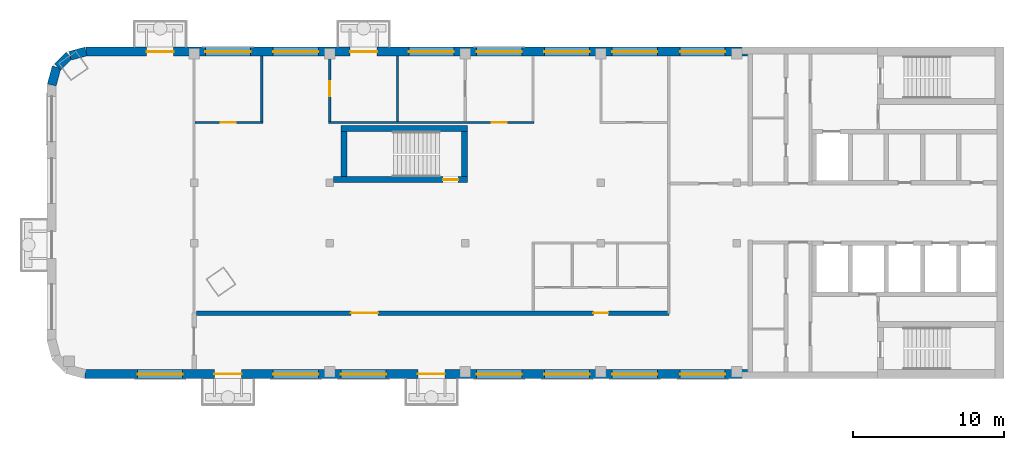
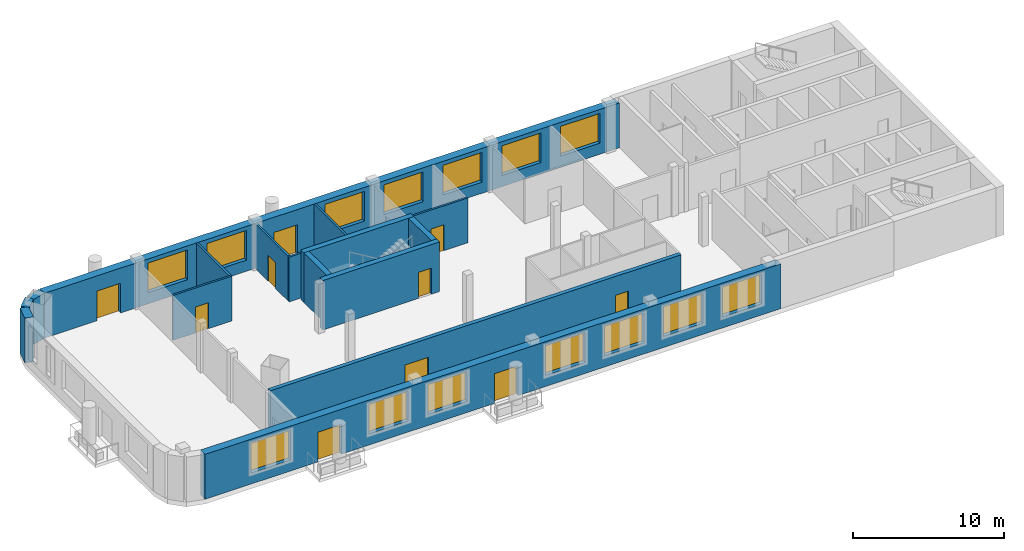
# One storey, part 2 of 7: 15 walls, 14 windows, 10 doors, 24 openings.
"""IFC4 building model written with IfcOpenShell, lengths in metres."""

from ifc_helpers import new_model, si_unit, direction, frame, frame_2d, origin, place, context, subcontext, project, spatial, rectangle, extrude, material, layer, layer_set, type_object, element, fill, save


model = new_model("IFC4")

# Units and contexts
model_context = context("Model", 3, precision=1e-05, world=origin(), true_north=direction((0.0, 1.0)))
body_context = subcontext(model_context, "Body", "Model", "MODEL_VIEW")
ifc_project = project(units=[si_unit("LENGTHUNIT", "METRE"), si_unit("AREAUNIT", "SQUARE_METRE"), si_unit("VOLUMEUNIT", "CUBIC_METRE"), si_unit("PLANEANGLEUNIT", "RADIAN"), si_unit("MASSUNIT", "GRAM", prefix="KILO")], contexts=[model_context])

# Site, building, storey
site_placement = place(None, origin())
site = spatial("IfcSite", under=ifc_project, at=site_placement, CompositionType="ELEMENT")
building_placement = place(site_placement, origin())
building = spatial("IfcBuilding", under=site, at=building_placement, Name="Skarvind Civic Tower", CompositionType="ELEMENT")
storey_placement = place(building_placement, frame((0.0, 0.0, 265.5)))
storey = spatial("IfcBuildingStorey", under=building, at=storey_placement, Name="L63", CompositionType="ELEMENT", Elevation=265.5)

# Wall, openings, doors
ifc_material_1 = material(Name="Fire-rated gypsum board on steel studs", Category="steel")
ifc_layer_1 = layer(ifc_material_1, 0.300048828125)
ifc_layer_set_1 = layer_set([ifc_layer_1], Name="CORRIDOR WALL 300")
wall_type_1 = type_object("IfcWallType", Name="CORRIDOR WALL 300", PredefinedType="PARTITIONING", material=ifc_layer_set_1)
wall_1_placement = place(storey_placement, frame((54.39990234375, 121.35009765625, 0.0), z_axis=(0.0, 0.0, 1.0), x_axis=(1.0, 0.0, 0.0)))
wall_1 = element("IfcWall", 1, at=wall_1_placement, inside=storey, type_object=wall_type_1, Name="Partition 63.003", PredefinedType="PARTITIONING", context=body_context, shape_type="SweptSolid", body=[
    extrude(rectangle(XDim=31.35302734375, YDim=0.300048828125, at=frame_2d((15.676513671875, 0.0))), origin(), (0.0, 0.0, 1.0), 3.625),
])
opening_1_placement = place(wall_1_placement, frame((26.35009765625, 0.0, 0.0)))
opening_1 = element("IfcOpeningElement", 2, at=opening_1_placement, cuts=wall_1, Name="Opening L63-D002", PredefinedType="OPENING", context=body_context, shape_type="SweptSolid", body=[
    extrude(rectangle(XDim=1.0, YDim=2.10009765625, at=frame_2d((0.5, 1.050048828125))), frame((0.0, 0.159912109375, 0.0), z_axis=(0.0, -1.0, 0.0), x_axis=(1.0, 0.0, 0.0)), (0.0, 0.0, 1.0), 0.320068359375),
])
opening_2_placement = place(wall_1_placement, frame((10.264892578125, 0.0, 0.0)))
opening_2 = element("IfcOpeningElement", 3, at=opening_2_placement, cuts=wall_1, Name="Opening L63-D010", PredefinedType="OPENING", context=body_context, shape_type="SweptSolid", body=[
    extrude(rectangle(XDim=1.800048828125, YDim=2.10009765625, at=frame_2d((0.89990234375, 1.050048828125))), frame((0.0, 0.159912109375, 0.0), z_axis=(0.0, -1.0, 0.0), x_axis=(1.0, 0.0, 0.0)), (0.0, 0.0, 1.0), 0.320068359375),
])
ifc_material_2 = material(Name="Fire-rated timber door leaf", Category="wood")
door_type_1 = type_object("IfcDoorType", Name="FD1 1000x2100", OperationType="NOTDEFINED", PredefinedType="DOOR", material=ifc_material_2)
door_1_placement = place(opening_1_placement, origin())
door_1 = element("IfcDoor", 4, at=door_1_placement, inside=storey, type_object=door_type_1, Name="Door L63-D002", OperationType="SINGLE_SWING_LEFT", OverallHeight=2.10009765625, OverallWidth=1.0, PredefinedType="DOOR", context=body_context, shape_type="SweptSolid", body=[
    extrude(rectangle(XDim=1.0, YDim=2.10009765625, at=frame_2d((0.5, 1.050048828125))), frame((0.0, 0.02490234375, 0.0), z_axis=(0.0, -1.0, 0.0), x_axis=(1.0, 0.0, 0.0)), (0.0, 0.0, 1.0), 0.050048828125),
])
fill(opening_1, door_1)
door_type_2 = type_object("IfcDoorType", Name="FD4 1800x2100", OperationType="NOTDEFINED", PredefinedType="DOOR", material=ifc_material_2)
door_2_placement = place(opening_2_placement, origin())
door_2 = element("IfcDoor", 5, at=door_2_placement, inside=storey, type_object=door_type_2, Name="Door L63-D010", OperationType="DOUBLE_DOOR_SINGLE_SWING", OverallHeight=2.10009765625, OverallWidth=1.800048828125, PredefinedType="DOOR", context=body_context, shape_type="SweptSolid", body=[
    extrude(rectangle(XDim=1.800048828125, YDim=2.10009765625, at=frame_2d((0.89990234375, 1.050048828125))), frame((0.0, 0.02490234375, 0.0), z_axis=(0.0, -1.0, 0.0), x_axis=(1.0, 0.0, 0.0)), (0.0, 0.0, 1.0), 0.050048828125),
])
fill(opening_2, door_2)

# Wall, opening, door
ifc_material_3 = material(Name="Concrete C60", Category="concrete")
ifc_layer_2 = layer(ifc_material_3, 0.39990234375)
ifc_layer_set_2 = layer_set([ifc_layer_2], Name="Core wall 400 C60")
wall_type_2 = type_object("IfcWallType", Name="Core wall 400 C60", PredefinedType="SHEAR", material=ifc_layer_set_2)
wall_2_placement = place(storey_placement, frame((63.5, 130.199951171875, 0.0), z_axis=(0.0, 0.0, 1.0), x_axis=(1.0, 0.0, 0.0)))
wall_2 = element("IfcWall", 6, at=wall_2_placement, inside=storey, type_object=wall_type_2, Name="Core wall CM inner L63", PredefinedType="SHEAR", context=body_context, shape_type="SweptSolid", body=[
    extrude(rectangle(XDim=8.89990234375, YDim=0.39990234375, at=frame_2d((4.449951171875, 0.0))), origin(), (0.0, 0.0, 1.0), 4.0),
])
opening_3_placement = place(wall_2_placement, frame((7.27490234375, 0.0, 0.0)))
opening_3 = element("IfcOpeningElement", 7, at=opening_3_placement, cuts=wall_2, Name="Opening D-L63-CM-01", PredefinedType="OPENING", context=body_context, shape_type="SweptSolid", body=[
    extrude(rectangle(XDim=1.0, YDim=2.10009765625, at=frame_2d((0.5, 1.050048828125))), frame((0.0, 0.2099609375, 0.0), z_axis=(0.0, -1.0, 0.0), x_axis=(1.0, 0.0, 0.0)), (0.0, 0.0, 1.0), 0.419921875),
])
ifc_material_4 = material(Name="Fire-rated steel door", Category="steel")
door_type_3 = type_object("IfcDoorType", Name="Fire door 1000", OperationType="NOTDEFINED", PredefinedType="DOOR", material=ifc_material_4)
door_3_placement = place(opening_3_placement, origin())
door_3 = element("IfcDoor", 8, at=door_3_placement, inside=storey, type_object=door_type_3, Name="Fire door", OperationType="SINGLE_SWING_LEFT", OverallHeight=2.10009765625, OverallWidth=1.0, PredefinedType="DOOR", context=body_context, shape_type="SweptSolid", body=[
    extrude(rectangle(XDim=1.0, YDim=2.10009765625, at=frame_2d((0.5, 1.050048828125))), frame((0.0, 0.02490234375, 0.0), z_axis=(0.0, -1.0, 0.0), x_axis=(1.0, 0.0, 0.0)), (0.0, 0.0, 1.0), 0.050048828125),
])
fill(opening_3, door_3)

# Walls
wall_3_placement = place(storey_placement, frame((64.0, 133.60009765625, 0.0), z_axis=(0.0, 0.0, 1.0), x_axis=(1.0, 0.0, 0.0)))
element("IfcWall", 9, at=wall_3_placement, inside=storey, type_object=wall_type_2, Name="Core wall CM outer L63", PredefinedType="SHEAR", context=body_context, shape_type="SweptSolid", body=[
    extrude(rectangle(XDim=8.39990234375, YDim=0.39990234375, at=frame_2d((4.199951171875, 0.0))), origin(), (0.0, 0.0, 1.0), 4.0),
])
for number, where, z_axis, x_axis, name in (
    (10, (64.199951171875, 130.39990234375, 0.0), (0.0, 0.0, 1.0), (0.0, 1.0, 0.0), "Core wall CM west L63"),
    (11, (72.199951171875, 130.39990234375, 0.0), (0.0, 0.0, 1.0), (0.0, 1.0, 0.0), "Core wall CM end L63"),
):
    element("IfcWall", number, at=place(storey_placement, frame(where, z_axis=z_axis, x_axis=x_axis)), inside=storey, type_object=wall_type_2, Name=name, PredefinedType="SHEAR", context=body_context, shape_type="SweptSolid", body=[
        extrude(rectangle(XDim=3.0, YDim=0.39990234375, at=frame_2d((1.5, 0.0))), origin(), (0.0, 0.0, 1.0), 4.0),
    ])

# Wall, opening, door
ifc_material_5 = material(Name="Plasterboard partition on steel studs", Category="steel")
ifc_layer_3 = layer(ifc_material_5, 0.14990234375)
ifc_layer_set_3 = layer_set([ifc_layer_3], Name="PARTITION 150")
wall_type_3 = type_object("IfcWallType", Name="PARTITION 150", PredefinedType="PARTITIONING", material=ifc_layer_set_3)
wall_4_placement = place(storey_placement, frame((58.824951171875, 134.0, 0.0), z_axis=(0.0, 0.0, 1.0), x_axis=(-1.0, 0.0, 0.0)))
wall_4 = element("IfcWall", 12, at=wall_4_placement, inside=storey, type_object=wall_type_3, Name="Partition 63.004", PredefinedType="PARTITIONING", context=body_context, shape_type="SweptSolid", body=[
    extrude(rectangle(XDim=4.5, YDim=0.14990234375, at=frame_2d((2.25, 0.0))), origin(), (0.0, 0.0, 1.0), 3.625),
])
opening_4_placement = place(wall_4_placement, frame((1.797607421875, 0.0, 0.0)))
opening_4 = element("IfcOpeningElement", 13, at=opening_4_placement, cuts=wall_4, Name="Opening L63-D009", PredefinedType="OPENING", context=body_context, shape_type="SweptSolid", body=[
    extrude(rectangle(XDim=1.0, YDim=2.10009765625, at=frame_2d((0.5, 1.050048828125))), frame((0.0, 0.0849609375, 0.0), z_axis=(0.0, -1.0, 0.0), x_axis=(1.0, 0.0, 0.0)), (0.0, 0.0, 1.0), 0.169921875),
])
ifc_material_6 = material(Name="Timber door leaf", Category="wood")
door_type_4 = type_object("IfcDoorType", Name="D1 1000x2100", OperationType="NOTDEFINED", PredefinedType="DOOR", material=ifc_material_6)
door_4_placement = place(opening_4_placement, origin())
door_4 = element("IfcDoor", 14, at=door_4_placement, inside=storey, type_object=door_type_4, Name="Door L63-D009", OperationType="SINGLE_SWING_LEFT", OverallHeight=2.10009765625, OverallWidth=1.0, PredefinedType="DOOR", context=body_context, shape_type="SweptSolid", body=[
    extrude(rectangle(XDim=1.0, YDim=2.10009765625, at=frame_2d((0.5, 1.050048828125))), frame((0.0, 0.02490234375, 0.0), z_axis=(0.0, -1.0, 0.0), x_axis=(1.0, 0.0, 0.0)), (0.0, 0.0, 1.0), 0.050048828125),
])
fill(opening_4, door_4)

# Wall
wall_5_placement = place(storey_placement, frame((58.75, 138.39990234375, 0.0), z_axis=(0.0, 0.0, 1.0), x_axis=(0.0, -1.0, 0.0)))
element("IfcWall", 15, at=wall_5_placement, inside=storey, type_object=wall_type_3, Name="Partition 63.005", PredefinedType="PARTITIONING", context=body_context, shape_type="SweptSolid", body=[
    extrude(rectangle(XDim=4.324951171875, YDim=0.14990234375, at=frame_2d((2.16259765625, 0.0))), origin(), (0.0, 0.0, 1.0), 3.625),
])

# Wall, opening, door
wall_6_placement = place(storey_placement, frame((63.25, 134.074951171875, 0.0), z_axis=(0.0, 0.0, 1.0), x_axis=(0.0, 1.0, 0.0)))
wall_6 = element("IfcWall", 16, at=wall_6_placement, inside=storey, type_object=wall_type_3, Name="Partition 63.006", PredefinedType="PARTITIONING", context=body_context, shape_type="SweptSolid", body=[
    extrude(rectangle(XDim=4.324951171875, YDim=0.14990234375, at=frame_2d((2.16259765625, 0.0))), origin(), (0.0, 0.0, 1.0), 3.625),
])
opening_5_placement = place(wall_6_placement, frame((1.652587890625, 0.0, 0.0)))
opening_5 = element("IfcOpeningElement", 17, at=opening_5_placement, cuts=wall_6, Name="Opening L63-D008", PredefinedType="OPENING", context=body_context, shape_type="SweptSolid", body=[
    extrude(rectangle(XDim=1.0, YDim=2.10009765625, at=frame_2d((0.5, 1.050048828125))), frame((0.0, 0.0849609375, 0.0), z_axis=(0.0, -1.0, 0.0), x_axis=(1.0, 0.0, 0.0)), (0.0, 0.0, 1.0), 0.169921875),
])
door_5_placement = place(opening_5_placement, origin())
door_5 = element("IfcDoor", 18, at=door_5_placement, inside=storey, type_object=door_type_4, Name="Door L63-D008", OperationType="SINGLE_SWING_LEFT", OverallHeight=2.10009765625, OverallWidth=1.0, PredefinedType="DOOR", context=body_context, shape_type="SweptSolid", body=[
    extrude(rectangle(XDim=1.0, YDim=2.10009765625, at=frame_2d((0.5, 1.050048828125))), frame((0.0, 0.02490234375, 0.0), z_axis=(0.0, -1.0, 0.0), x_axis=(1.0, 0.0, 0.0)), (0.0, 0.0, 1.0), 0.050048828125),
])
fill(opening_5, door_5)

wall_7_placement = place(storey_placement, frame((76.824951171875, 134.0, 0.0), z_axis=(0.0, 0.0, 1.0), x_axis=(-1.0, 0.0, 0.0)))
wall_7 = element("IfcWall", 19, at=wall_7_placement, inside=storey, type_object=wall_type_3, Name="Partition 63.007", PredefinedType="PARTITIONING", context=body_context, shape_type="SweptSolid", body=[
    extrude(rectangle(XDim=13.64990234375, YDim=0.14990234375, at=frame_2d((6.824951171875, 0.0))), origin(), (0.0, 0.0, 1.0), 3.625),
])
opening_6_placement = place(wall_7_placement, frame((1.824951171875, 0.0, 0.0)))
opening_6 = element("IfcOpeningElement", 20, at=opening_6_placement, cuts=wall_7, Name="Opening L63-D007", PredefinedType="OPENING", context=body_context, shape_type="SweptSolid", body=[
    extrude(rectangle(XDim=1.0, YDim=2.10009765625, at=frame_2d((0.5, 1.050048828125))), frame((0.0, 0.0849609375, 0.0), z_axis=(0.0, -1.0, 0.0), x_axis=(1.0, 0.0, 0.0)), (0.0, 0.0, 1.0), 0.169921875),
])
door_6_placement = place(opening_6_placement, origin())
door_6 = element("IfcDoor", 21, at=door_6_placement, inside=storey, type_object=door_type_4, Name="Door L63-D007", OperationType="SINGLE_SWING_LEFT", OverallHeight=2.10009765625, OverallWidth=1.0, PredefinedType="DOOR", context=body_context, shape_type="SweptSolid", body=[
    extrude(rectangle(XDim=1.0, YDim=2.10009765625, at=frame_2d((0.5, 1.050048828125))), frame((0.0, 0.02490234375, 0.0), z_axis=(0.0, -1.0, 0.0), x_axis=(1.0, 0.0, 0.0)), (0.0, 0.0, 1.0), 0.050048828125),
])
fill(opening_6, door_6)

# Wall
wall_8_placement = place(storey_placement, frame((67.75, 134.074951171875, 0.0), z_axis=(0.0, 0.0, 1.0), x_axis=(0.0, 1.0, 0.0)))
element("IfcWall", 22, at=wall_8_placement, inside=storey, type_object=wall_type_3, Name="Partition 63.008", PredefinedType="PARTITIONING", context=body_context, shape_type="SweptSolid", body=[
    extrude(rectangle(XDim=4.324951171875, YDim=0.14990234375, at=frame_2d((2.16259765625, 0.0))), origin(), (0.0, 0.0, 1.0), 3.625),
])

# Wall, openings, doors, windows
ifc_material_7 = material(Name="Standing-seam zinc cladding on insulated backing")
ifc_layer_4 = layer(ifc_material_7, 0.60009765625)
ifc_layer_set_4 = layer_set([ifc_layer_4], Name="WX2 ZINC-CLAD FACADE WALL 600")
wall_type_4 = type_object("IfcWallType", Name="WX2 ZINC-CLAD FACADE WALL 600", PredefinedType="SOLIDWALL", material=ifc_layer_set_4)
wall_9_placement = place(storey_placement, frame((47.070068359375, 138.699951171875, 0.0), z_axis=(0.0, 0.0, 1.0), x_axis=(1.0, 0.0, 0.0)))
wall_9 = element("IfcWall", 23, at=wall_9_placement, inside=storey, type_object=wall_type_4, Name="ZINC-CLAD FACADE WALL", PredefinedType="SOLIDWALL", context=body_context, shape_type="SweptSolid", body=[
    extrude(rectangle(XDim=43.909912109375, YDim=0.60009765625, at=frame_2d((21.955078125, 0.0))), origin(), (0.0, 0.0, 1.0), 3.625),
])
opening_7_placement = place(wall_9_placement, frame((4.030029296875, 0.0, 0.0)))
opening_7 = element("IfcOpeningElement", 24, at=opening_7_placement, cuts=wall_9, Name="Opening DX3", PredefinedType="OPENING", context=body_context, shape_type="SweptSolid", body=[
    extrude(rectangle(XDim=1.800048828125, YDim=2.39990234375, at=frame_2d((0.89990234375, 1.199951171875))), frame((0.0, 0.31005859375, 0.0), z_axis=(0.0, -1.0, 0.0), x_axis=(1.0, 0.0, 0.0)), (0.0, 0.0, 1.0), 0.6201171875),
])
opening_8_placement = place(wall_9_placement, frame((7.929931640625, 0.0, 0.89990234375)))
opening_8 = element("IfcOpeningElement", 25, at=opening_8_placement, cuts=wall_9, Name="Opening WN4", PredefinedType="OPENING", context=body_context, shape_type="SweptSolid", body=[
    extrude(rectangle(XDim=3.0, YDim=2.39990234375, at=frame_2d((1.5, 1.199951171875))), frame((0.0, 0.31005859375, 0.0), z_axis=(0.0, -1.0, 0.0), x_axis=(1.0, 0.0, 0.0)), (0.0, 0.0, 1.0), 0.6201171875),
])
opening_9_placement = place(wall_9_placement, frame((12.429931640625, 0.0, 0.89990234375)))
opening_9 = element("IfcOpeningElement", 26, at=opening_9_placement, cuts=wall_9, Name="Opening WN4", PredefinedType="OPENING", context=body_context, shape_type="SweptSolid", body=[
    extrude(rectangle(XDim=3.0, YDim=2.39990234375, at=frame_2d((1.5, 1.199951171875))), frame((0.0, 0.31005859375, 0.0), z_axis=(0.0, -1.0, 0.0), x_axis=(1.0, 0.0, 0.0)), (0.0, 0.0, 1.0), 0.6201171875),
])
opening_10_placement = place(wall_9_placement, frame((17.530029296875, 0.0, 0.0)))
opening_10 = element("IfcOpeningElement", 27, at=opening_10_placement, cuts=wall_9, Name="Opening DX3", PredefinedType="OPENING", context=body_context, shape_type="SweptSolid", body=[
    extrude(rectangle(XDim=1.800048828125, YDim=2.39990234375, at=frame_2d((0.89990234375, 1.199951171875))), frame((0.0, 0.31005859375, 0.0), z_axis=(0.0, -1.0, 0.0), x_axis=(1.0, 0.0, 0.0)), (0.0, 0.0, 1.0), 0.6201171875),
])
opening_11_placement = place(wall_9_placement, frame((21.429931640625, 0.0, 0.89990234375)))
opening_11 = element("IfcOpeningElement", 28, at=opening_11_placement, cuts=wall_9, Name="Opening WN4", PredefinedType="OPENING", context=body_context, shape_type="SweptSolid", body=[
    extrude(rectangle(XDim=3.0, YDim=2.39990234375, at=frame_2d((1.5, 1.199951171875))), frame((0.0, 0.31005859375, 0.0), z_axis=(0.0, -1.0, 0.0), x_axis=(1.0, 0.0, 0.0)), (0.0, 0.0, 1.0), 0.6201171875),
])
opening_12_placement = place(wall_9_placement, frame((25.929931640625, 0.0, 0.89990234375)))
opening_12 = element("IfcOpeningElement", 29, at=opening_12_placement, cuts=wall_9, Name="Opening WN4", PredefinedType="OPENING", context=body_context, shape_type="SweptSolid", body=[
    extrude(rectangle(XDim=3.0, YDim=2.39990234375, at=frame_2d((1.5, 1.199951171875))), frame((0.0, 0.31005859375, 0.0), z_axis=(0.0, -1.0, 0.0), x_axis=(1.0, 0.0, 0.0)), (0.0, 0.0, 1.0), 0.6201171875),
])
opening_13_placement = place(wall_9_placement, frame((30.429931640625, 0.0, 0.89990234375)))
opening_13 = element("IfcOpeningElement", 30, at=opening_13_placement, cuts=wall_9, Name="Opening WN4", PredefinedType="OPENING", context=body_context, shape_type="SweptSolid", body=[
    extrude(rectangle(XDim=3.0, YDim=2.39990234375, at=frame_2d((1.5, 1.199951171875))), frame((0.0, 0.31005859375, 0.0), z_axis=(0.0, -1.0, 0.0), x_axis=(1.0, 0.0, 0.0)), (0.0, 0.0, 1.0), 0.6201171875),
])
opening_14_placement = place(wall_9_placement, frame((34.929931640625, 0.0, 0.89990234375)))
opening_14 = element("IfcOpeningElement", 31, at=opening_14_placement, cuts=wall_9, Name="Opening WN4", PredefinedType="OPENING", context=body_context, shape_type="SweptSolid", body=[
    extrude(rectangle(XDim=3.0, YDim=2.39990234375, at=frame_2d((1.5, 1.199951171875))), frame((0.0, 0.31005859375, 0.0), z_axis=(0.0, -1.0, 0.0), x_axis=(1.0, 0.0, 0.0)), (0.0, 0.0, 1.0), 0.6201171875),
])
opening_15_placement = place(wall_9_placement, frame((39.429931640625, 0.0, 0.89990234375)))
opening_15 = element("IfcOpeningElement", 32, at=opening_15_placement, cuts=wall_9, Name="Opening WN4", PredefinedType="OPENING", context=body_context, shape_type="SweptSolid", body=[
    extrude(rectangle(XDim=3.0, YDim=2.39990234375, at=frame_2d((1.5, 1.199951171875))), frame((0.0, 0.31005859375, 0.0), z_axis=(0.0, -1.0, 0.0), x_axis=(1.0, 0.0, 0.0)), (0.0, 0.0, 1.0), 0.6201171875),
])
ifc_material_8 = material(Name="Timber and glass doorset", Category="wood")
door_type_5 = type_object("IfcDoorType", Name="DX3 TERRACE DOORS 1800 x 2400", OperationType="NOTDEFINED", PredefinedType="DOOR", material=ifc_material_8)
door_7_placement = place(opening_7_placement, origin())
door_7 = element("IfcDoor", 33, at=door_7_placement, inside=storey, type_object=door_type_5, Name="TERRACE DOORS", OperationType="DOUBLE_DOOR_SINGLE_SWING", OverallHeight=2.39990234375, OverallWidth=1.800048828125, PredefinedType="DOOR", context=body_context, shape_type="SweptSolid", body=[
    extrude(rectangle(XDim=1.800048828125, YDim=2.39990234375, at=frame_2d((0.89990234375, 1.199951171875))), frame((0.0, 0.02490234375, 0.0), z_axis=(0.0, -1.0, 0.0), x_axis=(1.0, 0.0, 0.0)), (0.0, 0.0, 1.0), 0.050048828125),
])
fill(opening_7, door_7)
door_8_placement = place(opening_10_placement, origin())
door_8 = element("IfcDoor", 34, at=door_8_placement, inside=storey, type_object=door_type_5, Name="TERRACE DOORS", OperationType="DOUBLE_DOOR_SINGLE_SWING", OverallHeight=2.39990234375, OverallWidth=1.800048828125, PredefinedType="DOOR", context=body_context, shape_type="SweptSolid", body=[
    extrude(rectangle(XDim=1.800048828125, YDim=2.39990234375, at=frame_2d((0.89990234375, 1.199951171875))), frame((0.0, 0.02490234375, 0.0), z_axis=(0.0, -1.0, 0.0), x_axis=(1.0, 0.0, 0.0)), (0.0, 0.0, 1.0), 0.050048828125),
])
fill(opening_10, door_8)
ifc_material_9 = material(Name="Timber frame, double glazing, copper-lined reveal", Category="wood")
window_type = type_object("IfcWindowType", Name="WN4 COPPER-LINED WINDOW 3000 x 2400", PartitioningType="SINGLE_PANEL", PredefinedType="WINDOW", material=ifc_material_9)
window_1_placement = place(opening_8_placement, origin())
window_1 = element("IfcWindow", 35, at=window_1_placement, inside=storey, type_object=window_type, Name="WN4 WINDOW", OverallHeight=2.39990234375, OverallWidth=3.0, PartitioningType="SINGLE_PANEL", PredefinedType="WINDOW", context=body_context, shape_type="SweptSolid", body=[
    extrude(rectangle(XDim=3.0, YDim=2.39990234375, at=frame_2d((1.5, 1.199951171875))), frame((0.0, 0.030029296875, 0.0), z_axis=(0.0, -1.0, 0.0), x_axis=(1.0, 0.0, 0.0)), (0.0, 0.0, 1.0), 0.06005859375),
])
fill(opening_8, window_1)
window_2_placement = place(opening_9_placement, origin())
window_2 = element("IfcWindow", 36, at=window_2_placement, inside=storey, type_object=window_type, Name="WN4 WINDOW", OverallHeight=2.39990234375, OverallWidth=3.0, PartitioningType="SINGLE_PANEL", PredefinedType="WINDOW", context=body_context, shape_type="SweptSolid", body=[
    extrude(rectangle(XDim=3.0, YDim=2.39990234375, at=frame_2d((1.5, 1.199951171875))), frame((0.0, 0.030029296875, 0.0), z_axis=(0.0, -1.0, 0.0), x_axis=(1.0, 0.0, 0.0)), (0.0, 0.0, 1.0), 0.06005859375),
])
fill(opening_9, window_2)
window_3_placement = place(opening_11_placement, origin())
window_3 = element("IfcWindow", 37, at=window_3_placement, inside=storey, type_object=window_type, Name="WN4 WINDOW", OverallHeight=2.39990234375, OverallWidth=3.0, PartitioningType="SINGLE_PANEL", PredefinedType="WINDOW", context=body_context, shape_type="SweptSolid", body=[
    extrude(rectangle(XDim=3.0, YDim=2.39990234375, at=frame_2d((1.5, 1.199951171875))), frame((0.0, 0.030029296875, 0.0), z_axis=(0.0, -1.0, 0.0), x_axis=(1.0, 0.0, 0.0)), (0.0, 0.0, 1.0), 0.06005859375),
])
fill(opening_11, window_3)
window_4_placement = place(opening_12_placement, origin())
window_4 = element("IfcWindow", 38, at=window_4_placement, inside=storey, type_object=window_type, Name="WN4 WINDOW", OverallHeight=2.39990234375, OverallWidth=3.0, PartitioningType="SINGLE_PANEL", PredefinedType="WINDOW", context=body_context, shape_type="SweptSolid", body=[
    extrude(rectangle(XDim=3.0, YDim=2.39990234375, at=frame_2d((1.5, 1.199951171875))), frame((0.0, 0.030029296875, 0.0), z_axis=(0.0, -1.0, 0.0), x_axis=(1.0, 0.0, 0.0)), (0.0, 0.0, 1.0), 0.06005859375),
])
fill(opening_12, window_4)
window_5_placement = place(opening_13_placement, origin())
window_5 = element("IfcWindow", 39, at=window_5_placement, inside=storey, type_object=window_type, Name="WN4 WINDOW", OverallHeight=2.39990234375, OverallWidth=3.0, PartitioningType="SINGLE_PANEL", PredefinedType="WINDOW", context=body_context, shape_type="SweptSolid", body=[
    extrude(rectangle(XDim=3.0, YDim=2.39990234375, at=frame_2d((1.5, 1.199951171875))), frame((0.0, 0.030029296875, 0.0), z_axis=(0.0, -1.0, 0.0), x_axis=(1.0, 0.0, 0.0)), (0.0, 0.0, 1.0), 0.06005859375),
])
fill(opening_13, window_5)
window_6_placement = place(opening_14_placement, origin())
window_6 = element("IfcWindow", 40, at=window_6_placement, inside=storey, type_object=window_type, Name="WN4 WINDOW", OverallHeight=2.39990234375, OverallWidth=3.0, PartitioningType="SINGLE_PANEL", PredefinedType="WINDOW", context=body_context, shape_type="SweptSolid", body=[
    extrude(rectangle(XDim=3.0, YDim=2.39990234375, at=frame_2d((1.5, 1.199951171875))), frame((0.0, 0.030029296875, 0.0), z_axis=(0.0, -1.0, 0.0), x_axis=(1.0, 0.0, 0.0)), (0.0, 0.0, 1.0), 0.06005859375),
])
fill(opening_14, window_6)
window_7_placement = place(opening_15_placement, origin())
window_7 = element("IfcWindow", 41, at=window_7_placement, inside=storey, type_object=window_type, Name="WN4 WINDOW", OverallHeight=2.39990234375, OverallWidth=3.0, PartitioningType="SINGLE_PANEL", PredefinedType="WINDOW", context=body_context, shape_type="SweptSolid", body=[
    extrude(rectangle(XDim=3.0, YDim=2.39990234375, at=frame_2d((1.5, 1.199951171875))), frame((0.0, 0.030029296875, 0.0), z_axis=(0.0, -1.0, 0.0), x_axis=(1.0, 0.0, 0.0)), (0.0, 0.0, 1.0), 0.06005859375),
])
fill(opening_15, window_7)

# Walls
wall_10_placement = place(storey_placement, frame((46.030517578125, 138.4296875, 0.0), z_axis=(0.0, 0.0, 1.0), x_axis=(0.965939004864, 0.25876985698, 0.0)))
element("IfcWall", 42, at=wall_10_placement, inside=storey, type_object=wall_type_4, Name="ZINC-CLAD FACADE WALL", PredefinedType="SOLIDWALL", context=body_context, shape_type="SweptSolid", body=[
    extrude(rectangle(XDim=1.083984375, YDim=0.60009765625, at=frame_2d((0.5419921875, 0.0))), origin(), (0.0, 0.0, 1.0), 3.625),
])
wall_11_placement = place(storey_placement, frame((45.195556640625, 137.686279296875, 0.0), z_axis=(0.0, 0.0, 1.0), x_axis=(0.707106781187, 0.707106781187, 0.0)))
element("IfcWall", 43, at=wall_11_placement, inside=storey, type_object=wall_type_4, Name="ZINC-CLAD FACADE WALL", PredefinedType="SOLIDWALL", context=body_context, shape_type="SweptSolid", body=[
    extrude(rectangle(XDim=1.084228515625, YDim=0.60009765625, at=frame_2d((0.5419921875, 0.0))), origin(), (0.0, 0.0, 1.0), 3.625),
])
wall_12_placement = place(storey_placement, frame((44.807861328125, 136.489990234375, 0.0), z_axis=(0.0, 0.0, 1.0), x_axis=(0.258878975098, 0.965909766102, 0.0)))
element("IfcWall", 44, at=wall_12_placement, inside=storey, type_object=wall_type_4, Name="ZINC-CLAD FACADE WALL", PredefinedType="SOLIDWALL", context=body_context, shape_type="SweptSolid", body=[
    extrude(rectangle(XDim=1.22412109375, YDim=0.60009765625, at=frame_2d((0.612060546875, 0.0))), origin(), (0.0, 0.0, 1.0), 3.625),
])

# Wall, openings, doors, windows
wall_13_placement = place(storey_placement, frame((90.97998046875, 117.300048828125, 0.0), z_axis=(0.0, 0.0, 1.0), x_axis=(-1.0, 0.0, 0.0)))
wall_13 = element("IfcWall", 45, at=wall_13_placement, inside=storey, type_object=wall_type_4, Name="ZINC-CLAD FACADE WALL", PredefinedType="SOLIDWALL", context=body_context, shape_type="SweptSolid", body=[
    extrude(rectangle(XDim=43.97998046875, YDim=0.60009765625, at=frame_2d((21.989990234375, 0.0))), origin(), (0.0, 0.0, 1.0), 3.625),
])
opening_16_placement = place(wall_13_placement, frame((1.47998046875, 0.0, 0.89990234375)))
opening_16 = element("IfcOpeningElement", 46, at=opening_16_placement, cuts=wall_13, Name="Opening WN4", PredefinedType="OPENING", context=body_context, shape_type="SweptSolid", body=[
    extrude(rectangle(XDim=3.0, YDim=2.39990234375, at=frame_2d((1.5, 1.199951171875))), frame((0.0, 0.31005859375, 0.0), z_axis=(0.0, -1.0, 0.0), x_axis=(1.0, 0.0, 0.0)), (0.0, 0.0, 1.0), 0.6201171875),
])
opening_17_placement = place(wall_13_placement, frame((5.97998046875, 0.0, 0.89990234375)))
opening_17 = element("IfcOpeningElement", 47, at=opening_17_placement, cuts=wall_13, Name="Opening WN4", PredefinedType="OPENING", context=body_context, shape_type="SweptSolid", body=[
    extrude(rectangle(XDim=3.0, YDim=2.39990234375, at=frame_2d((1.5, 1.199951171875))), frame((0.0, 0.31005859375, 0.0), z_axis=(0.0, -1.0, 0.0), x_axis=(1.0, 0.0, 0.0)), (0.0, 0.0, 1.0), 0.6201171875),
])
opening_18_placement = place(wall_13_placement, frame((10.47998046875, 0.0, 0.89990234375)))
opening_18 = element("IfcOpeningElement", 48, at=opening_18_placement, cuts=wall_13, Name="Opening WN4", PredefinedType="OPENING", context=body_context, shape_type="SweptSolid", body=[
    extrude(rectangle(XDim=3.0, YDim=2.39990234375, at=frame_2d((1.5, 1.199951171875))), frame((0.0, 0.31005859375, 0.0), z_axis=(0.0, -1.0, 0.0), x_axis=(1.0, 0.0, 0.0)), (0.0, 0.0, 1.0), 0.6201171875),
])
opening_19_placement = place(wall_13_placement, frame((14.97998046875, 0.0, 0.89990234375)))
opening_19 = element("IfcOpeningElement", 49, at=opening_19_placement, cuts=wall_13, Name="Opening WN4", PredefinedType="OPENING", context=body_context, shape_type="SweptSolid", body=[
    extrude(rectangle(XDim=3.0, YDim=2.39990234375, at=frame_2d((1.5, 1.199951171875))), frame((0.0, 0.31005859375, 0.0), z_axis=(0.0, -1.0, 0.0), x_axis=(1.0, 0.0, 0.0)), (0.0, 0.0, 1.0), 0.6201171875),
])
opening_20_placement = place(wall_13_placement, frame((20.080078125, 0.0, 0.0)))
opening_20 = element("IfcOpeningElement", 50, at=opening_20_placement, cuts=wall_13, Name="Opening DX3", PredefinedType="OPENING", context=body_context, shape_type="SweptSolid", body=[
    extrude(rectangle(XDim=1.800048828125, YDim=2.39990234375, at=frame_2d((0.89990234375, 1.199951171875))), frame((0.0, 0.31005859375, 0.0), z_axis=(0.0, -1.0, 0.0), x_axis=(1.0, 0.0, 0.0)), (0.0, 0.0, 1.0), 0.6201171875),
])
opening_21_placement = place(wall_13_placement, frame((23.97998046875, 0.0, 0.89990234375)))
opening_21 = element("IfcOpeningElement", 51, at=opening_21_placement, cuts=wall_13, Name="Opening WN4", PredefinedType="OPENING", context=body_context, shape_type="SweptSolid", body=[
    extrude(rectangle(XDim=3.0, YDim=2.39990234375, at=frame_2d((1.5, 1.199951171875))), frame((0.0, 0.31005859375, 0.0), z_axis=(0.0, -1.0, 0.0), x_axis=(1.0, 0.0, 0.0)), (0.0, 0.0, 1.0), 0.6201171875),
])
opening_22_placement = place(wall_13_placement, frame((28.47998046875, 0.0, 0.89990234375)))
opening_22 = element("IfcOpeningElement", 52, at=opening_22_placement, cuts=wall_13, Name="Opening WN4", PredefinedType="OPENING", context=body_context, shape_type="SweptSolid", body=[
    extrude(rectangle(XDim=3.0, YDim=2.39990234375, at=frame_2d((1.5, 1.199951171875))), frame((0.0, 0.31005859375, 0.0), z_axis=(0.0, -1.0, 0.0), x_axis=(1.0, 0.0, 0.0)), (0.0, 0.0, 1.0), 0.6201171875),
])
opening_23_placement = place(wall_13_placement, frame((33.580078125, 0.0, 0.0)))
opening_23 = element("IfcOpeningElement", 53, at=opening_23_placement, cuts=wall_13, Name="Opening DX3", PredefinedType="OPENING", context=body_context, shape_type="SweptSolid", body=[
    extrude(rectangle(XDim=1.800048828125, YDim=2.39990234375, at=frame_2d((0.89990234375, 1.199951171875))), frame((0.0, 0.31005859375, 0.0), z_axis=(0.0, -1.0, 0.0), x_axis=(1.0, 0.0, 0.0)), (0.0, 0.0, 1.0), 0.6201171875),
])
opening_24_placement = place(wall_13_placement, frame((37.47998046875, 0.0, 0.89990234375)))
opening_24 = element("IfcOpeningElement", 54, at=opening_24_placement, cuts=wall_13, Name="Opening WN4", PredefinedType="OPENING", context=body_context, shape_type="SweptSolid", body=[
    extrude(rectangle(XDim=3.0, YDim=2.39990234375, at=frame_2d((1.5, 1.199951171875))), frame((0.0, 0.31005859375, 0.0), z_axis=(0.0, -1.0, 0.0), x_axis=(1.0, 0.0, 0.0)), (0.0, 0.0, 1.0), 0.6201171875),
])
door_9_placement = place(opening_20_placement, origin())
door_9 = element("IfcDoor", 55, at=door_9_placement, inside=storey, type_object=door_type_5, Name="TERRACE DOORS", OperationType="DOUBLE_DOOR_SINGLE_SWING", OverallHeight=2.39990234375, OverallWidth=1.800048828125, PredefinedType="DOOR", context=body_context, shape_type="SweptSolid", body=[
    extrude(rectangle(XDim=1.800048828125, YDim=2.39990234375, at=frame_2d((0.89990234375, 1.199951171875))), frame((0.0, 0.02490234375, 0.0), z_axis=(0.0, -1.0, 0.0), x_axis=(1.0, 0.0, 0.0)), (0.0, 0.0, 1.0), 0.050048828125),
])
fill(opening_20, door_9)
door_10_placement = place(opening_23_placement, origin())
door_10 = element("IfcDoor", 56, at=door_10_placement, inside=storey, type_object=door_type_5, Name="TERRACE DOORS", OperationType="DOUBLE_DOOR_SINGLE_SWING", OverallHeight=2.39990234375, OverallWidth=1.800048828125, PredefinedType="DOOR", context=body_context, shape_type="SweptSolid", body=[
    extrude(rectangle(XDim=1.800048828125, YDim=2.39990234375, at=frame_2d((0.89990234375, 1.199951171875))), frame((0.0, 0.02490234375, 0.0), z_axis=(0.0, -1.0, 0.0), x_axis=(1.0, 0.0, 0.0)), (0.0, 0.0, 1.0), 0.050048828125),
])
fill(opening_23, door_10)
window_8_placement = place(opening_16_placement, origin())
window_8 = element("IfcWindow", 57, at=window_8_placement, inside=storey, type_object=window_type, Name="WN4 WINDOW", OverallHeight=2.39990234375, OverallWidth=3.0, PartitioningType="SINGLE_PANEL", PredefinedType="WINDOW", context=body_context, shape_type="SweptSolid", body=[
    extrude(rectangle(XDim=3.0, YDim=2.39990234375, at=frame_2d((1.5, 1.199951171875))), frame((0.0, 0.030029296875, 0.0), z_axis=(0.0, -1.0, 0.0), x_axis=(1.0, 0.0, 0.0)), (0.0, 0.0, 1.0), 0.06005859375),
])
fill(opening_16, window_8)
window_9_placement = place(opening_17_placement, origin())
window_9 = element("IfcWindow", 58, at=window_9_placement, inside=storey, type_object=window_type, Name="WN4 WINDOW", OverallHeight=2.39990234375, OverallWidth=3.0, PartitioningType="SINGLE_PANEL", PredefinedType="WINDOW", context=body_context, shape_type="SweptSolid", body=[
    extrude(rectangle(XDim=3.0, YDim=2.39990234375, at=frame_2d((1.5, 1.199951171875))), frame((0.0, 0.030029296875, 0.0), z_axis=(0.0, -1.0, 0.0), x_axis=(1.0, 0.0, 0.0)), (0.0, 0.0, 1.0), 0.06005859375),
])
fill(opening_17, window_9)
window_10_placement = place(opening_18_placement, origin())
window_10 = element("IfcWindow", 59, at=window_10_placement, inside=storey, type_object=window_type, Name="WN4 WINDOW", OverallHeight=2.39990234375, OverallWidth=3.0, PartitioningType="SINGLE_PANEL", PredefinedType="WINDOW", context=body_context, shape_type="SweptSolid", body=[
    extrude(rectangle(XDim=3.0, YDim=2.39990234375, at=frame_2d((1.5, 1.199951171875))), frame((0.0, 0.030029296875, 0.0), z_axis=(0.0, -1.0, 0.0), x_axis=(1.0, 0.0, 0.0)), (0.0, 0.0, 1.0), 0.06005859375),
])
fill(opening_18, window_10)
window_11_placement = place(opening_19_placement, origin())
window_11 = element("IfcWindow", 60, at=window_11_placement, inside=storey, type_object=window_type, Name="WN4 WINDOW", OverallHeight=2.39990234375, OverallWidth=3.0, PartitioningType="SINGLE_PANEL", PredefinedType="WINDOW", context=body_context, shape_type="SweptSolid", body=[
    extrude(rectangle(XDim=3.0, YDim=2.39990234375, at=frame_2d((1.5, 1.199951171875))), frame((0.0, 0.030029296875, 0.0), z_axis=(0.0, -1.0, 0.0), x_axis=(1.0, 0.0, 0.0)), (0.0, 0.0, 1.0), 0.06005859375),
])
fill(opening_19, window_11)
window_12_placement = place(opening_21_placement, origin())
window_12 = element("IfcWindow", 61, at=window_12_placement, inside=storey, type_object=window_type, Name="WN4 WINDOW", OverallHeight=2.39990234375, OverallWidth=3.0, PartitioningType="SINGLE_PANEL", PredefinedType="WINDOW", context=body_context, shape_type="SweptSolid", body=[
    extrude(rectangle(XDim=3.0, YDim=2.39990234375, at=frame_2d((1.5, 1.199951171875))), frame((0.0, 0.030029296875, 0.0), z_axis=(0.0, -1.0, 0.0), x_axis=(1.0, 0.0, 0.0)), (0.0, 0.0, 1.0), 0.06005859375),
])
fill(opening_21, window_12)
window_13_placement = place(opening_22_placement, origin())
window_13 = element("IfcWindow", 62, at=window_13_placement, inside=storey, type_object=window_type, Name="WN4 WINDOW", OverallHeight=2.39990234375, OverallWidth=3.0, PartitioningType="SINGLE_PANEL", PredefinedType="WINDOW", context=body_context, shape_type="SweptSolid", body=[
    extrude(rectangle(XDim=3.0, YDim=2.39990234375, at=frame_2d((1.5, 1.199951171875))), frame((0.0, 0.030029296875, 0.0), z_axis=(0.0, -1.0, 0.0), x_axis=(1.0, 0.0, 0.0)), (0.0, 0.0, 1.0), 0.06005859375),
])
fill(opening_22, window_13)
window_14_placement = place(opening_24_placement, origin())
window_14 = element("IfcWindow", 63, at=window_14_placement, inside=storey, type_object=window_type, Name="WN4 WINDOW", OverallHeight=2.39990234375, OverallWidth=3.0, PartitioningType="SINGLE_PANEL", PredefinedType="WINDOW", context=body_context, shape_type="SweptSolid", body=[
    extrude(rectangle(XDim=3.0, YDim=2.39990234375, at=frame_2d((1.5, 1.199951171875))), frame((0.0, 0.030029296875, 0.0), z_axis=(0.0, -1.0, 0.0), x_axis=(1.0, 0.0, 0.0)), (0.0, 0.0, 1.0), 0.06005859375),
])
fill(opening_24, window_14)

save(model, "model.ifc")
